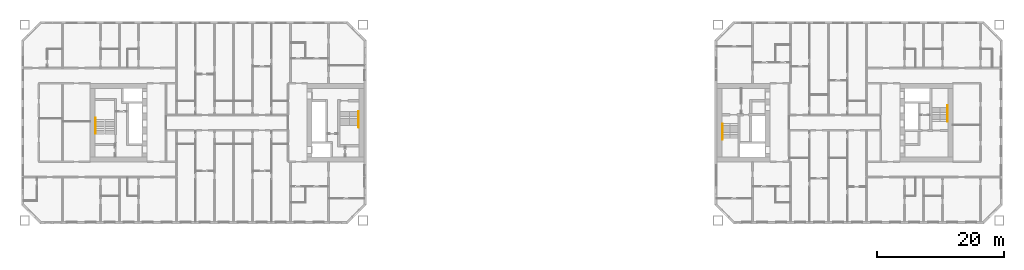
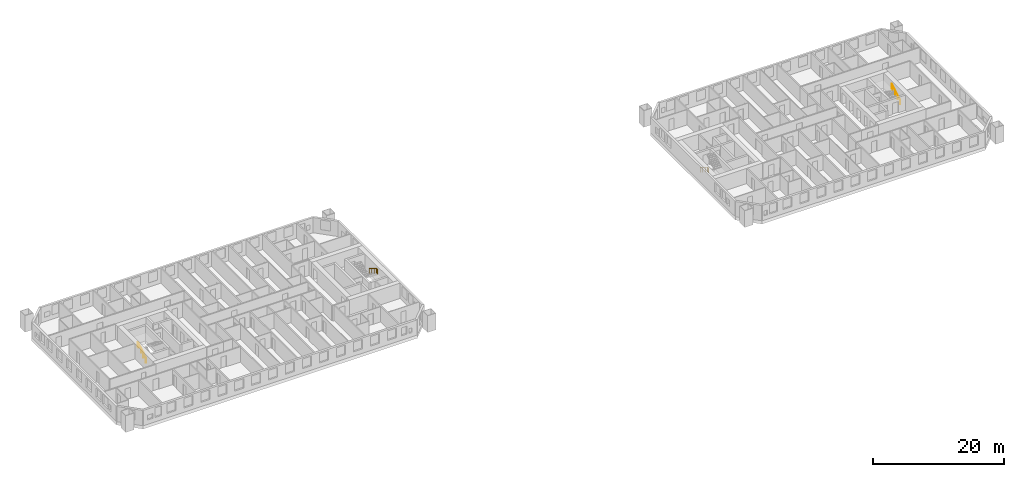
# One storey, part 17 of 17: 4 railings.
"""IFC4 building model written with IfcOpenShell, lengths in metres."""

from ifc_helpers import new_model, si_unit, direction, frame, origin, origin_2d, place, context, subcontext, project, spatial, circle, extrude, material, type_object, element, save


model = new_model("IFC4")

# Units and contexts
model_context = context("Model", 3, precision=1e-05, world=origin(), true_north=direction((0.0, 1.0)))
body_context = subcontext(model_context, "Body", "Model", "MODEL_VIEW")
ifc_project = project(units=[si_unit("LENGTHUNIT", "METRE"), si_unit("AREAUNIT", "SQUARE_METRE"), si_unit("VOLUMEUNIT", "CUBIC_METRE"), si_unit("PLANEANGLEUNIT", "RADIAN"), si_unit("MASSUNIT", "GRAM", prefix="KILO")], contexts=[model_context])

# Site, building, storey
site_placement = place(None, origin())
site = spatial("IfcSite", under=ifc_project, at=site_placement, CompositionType="ELEMENT")
building_placement = place(site_placement, origin())
building = spatial("IfcBuilding", under=site, at=building_placement, Name="Tuart Gate Housing", CompositionType="ELEMENT")
storey_placement = place(building_placement, frame((0.0, 0.0, 44.300048828125)))
storey = spatial("IfcBuildingStorey", under=building, at=storey_placement, Name="L11", CompositionType="ELEMENT", Elevation=44.300048828125)

# Railings
ifc_material = material(Name="Stainless steel", Category="steel")
railing_type = type_object("IfcRailingType", Name="Stair handrail 900", PredefinedType="HANDRAIL", material=ifc_material)
railing_1_placement = place(storey_placement, frame((74.780029296875, 71.77490234375, 0.172119140625)))
element("IfcRailing", 1, at=railing_1_placement, inside=storey, type_object=railing_type, Name="Stair handrail SA1.1", PredefinedType="HANDRAIL", context=body_context, shape_type="SweptSolid", body=[
    extrude(circle(Radius=0.02392578125, at=origin_2d()), frame((0.0, 0.0, 0.8759765625), z_axis=(0.0, -0.851747552033, 0.523952390591), x_axis=(1.0, 0.0, 0.0)), (0.0, 0.0, 1.0), 2.6298828125),
    extrude(circle(Radius=0.02392578125, at=origin_2d()), frame((0.0, -2.239990234375, 2.25390625), z_axis=(0.0, -1.0, 0.0), x_axis=(1.0, 0.0, 0.0)), (0.0, 0.0, 1.0), 0.2998046875),
    extrude(circle(Radius=0.02099609375, at=origin_2d()), origin(), (0.0, 0.0, 1.0), 0.851806640625),
    extrude(circle(Radius=0.02099609375, at=origin_2d()), frame((0.0, -0.74658203125, 0.459228515625)), (0.0, 0.0, 1.0), 0.851806640625),
    extrude(circle(Radius=0.02099609375, at=origin_2d()), frame((0.0, -1.493408203125, 0.918701171875)), (0.0, 0.0, 1.0), 0.851806640625),
    extrude(circle(Radius=0.02099609375, at=origin_2d()), frame((0.0, -2.239990234375, 1.3779296875)), (0.0, 0.0, 1.0), 0.851806640625),
    extrude(circle(Radius=0.02099609375, at=origin_2d()), frame((0.0, -2.539794921875, 1.3779296875)), (0.0, 0.0, 1.0), 0.851806640625),
])
railing_2_placement = place(storey_placement, frame((33.219970703125, 68.22509765625, 0.172119140625)))
element("IfcRailing", 2, at=railing_2_placement, inside=storey, type_object=railing_type, Name="Stair handrail SA2.1", PredefinedType="HANDRAIL", context=body_context, shape_type="SweptSolid", body=[
    extrude(circle(Radius=0.02392578125, at=origin_2d()), frame((0.0, 0.0, 0.8759765625), z_axis=(0.0, 0.851747552033, 0.523952390591), x_axis=(-1.0, 0.0, 0.0)), (0.0, 0.0, 1.0), 2.6298828125),
    extrude(circle(Radius=0.02392578125, at=origin_2d()), frame((0.0, 2.239990234375, 2.25390625), z_axis=(0.0, 1.0, 0.0), x_axis=(-1.0, 0.0, 0.0)), (0.0, 0.0, 1.0), 0.2998046875),
    extrude(circle(Radius=0.02099609375, at=origin_2d()), origin(), (0.0, 0.0, 1.0), 0.851806640625),
    extrude(circle(Radius=0.02099609375, at=origin_2d()), frame((0.0, 0.74658203125, 0.459228515625)), (0.0, 0.0, 1.0), 0.851806640625),
    extrude(circle(Radius=0.02099609375, at=origin_2d()), frame((0.0, 1.493408203125, 0.918701171875)), (0.0, 0.0, 1.0), 0.851806640625),
    extrude(circle(Radius=0.02099609375, at=origin_2d()), frame((0.0, 2.239990234375, 1.3779296875)), (0.0, 0.0, 1.0), 0.851806640625),
    extrude(circle(Radius=0.02099609375, at=origin_2d()), frame((0.0, 2.539794921875, 1.3779296875)), (0.0, 0.0, 1.0), 0.851806640625),
])
railing_3_placement = place(storey_placement, frame((132.219970703125, 69.824951171875, 0.172119140625)))
element("IfcRailing", 3, at=railing_3_placement, inside=storey, type_object=railing_type, Name="Stair handrail SB1.1", PredefinedType="HANDRAIL", context=body_context, shape_type="SweptSolid", body=[
    extrude(circle(Radius=0.02392578125, at=origin_2d()), frame((0.0, 0.0, 0.8759765625), z_axis=(0.0, -0.851747552033, 0.523952390591), x_axis=(1.0, 0.0, 0.0)), (0.0, 0.0, 1.0), 2.6298828125),
    extrude(circle(Radius=0.02392578125, at=origin_2d()), frame((0.0, -2.239990234375, 2.25390625), z_axis=(0.0, -1.0, 0.0), x_axis=(1.0, 0.0, 0.0)), (0.0, 0.0, 1.0), 0.300048828125),
    extrude(circle(Radius=0.02099609375, at=origin_2d()), origin(), (0.0, 0.0, 1.0), 0.851806640625),
    extrude(circle(Radius=0.02099609375, at=origin_2d()), frame((0.0, -0.74658203125, 0.459228515625)), (0.0, 0.0, 1.0), 0.851806640625),
    extrude(circle(Radius=0.02099609375, at=origin_2d()), frame((0.0, -1.493408203125, 0.918701171875)), (0.0, 0.0, 1.0), 0.851806640625),
    extrude(circle(Radius=0.02099609375, at=origin_2d()), frame((0.0, -2.239990234375, 1.3779296875)), (0.0, 0.0, 1.0), 0.851806640625),
    extrude(circle(Radius=0.02099609375, at=origin_2d()), frame((0.0, -2.5400390625, 1.3779296875)), (0.0, 0.0, 1.0), 0.851806640625),
])
railing_4_placement = place(storey_placement, frame((167.780029296875, 70.175048828125, 0.172119140625)))
element("IfcRailing", 4, at=railing_4_placement, inside=storey, type_object=railing_type, Name="Stair handrail SB2.1", PredefinedType="HANDRAIL", context=body_context, shape_type="SweptSolid", body=[
    extrude(circle(Radius=0.02392578125, at=origin_2d()), frame((0.0, 0.0, 0.8759765625), z_axis=(0.0, 0.851747552033, 0.523952390591), x_axis=(-1.0, 0.0, 0.0)), (0.0, 0.0, 1.0), 2.6298828125),
    extrude(circle(Radius=0.02392578125, at=origin_2d()), frame((0.0, 2.239990234375, 2.25390625), z_axis=(0.0, 1.0, 0.0), x_axis=(-1.0, 0.0, 0.0)), (0.0, 0.0, 1.0), 0.300048828125),
    extrude(circle(Radius=0.02099609375, at=origin_2d()), origin(), (0.0, 0.0, 1.0), 0.851806640625),
    extrude(circle(Radius=0.02099609375, at=origin_2d()), frame((0.0, 0.74658203125, 0.459228515625)), (0.0, 0.0, 1.0), 0.851806640625),
    extrude(circle(Radius=0.02099609375, at=origin_2d()), frame((0.0, 1.493408203125, 0.918701171875)), (0.0, 0.0, 1.0), 0.851806640625),
    extrude(circle(Radius=0.02099609375, at=origin_2d()), frame((0.0, 2.239990234375, 1.3779296875)), (0.0, 0.0, 1.0), 0.851806640625),
    extrude(circle(Radius=0.02099609375, at=origin_2d()), frame((0.0, 2.5400390625, 1.3779296875)), (0.0, 0.0, 1.0), 0.851806640625),
])

save(model, "model.ifc")
